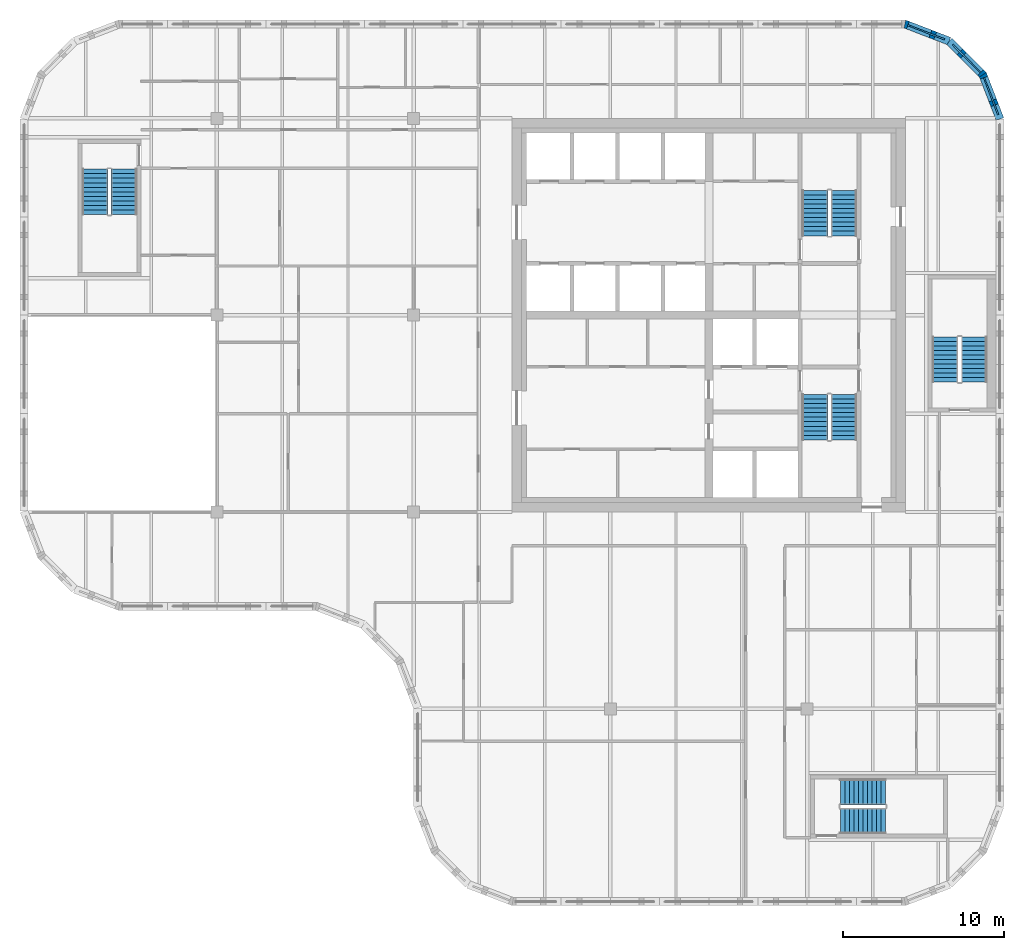
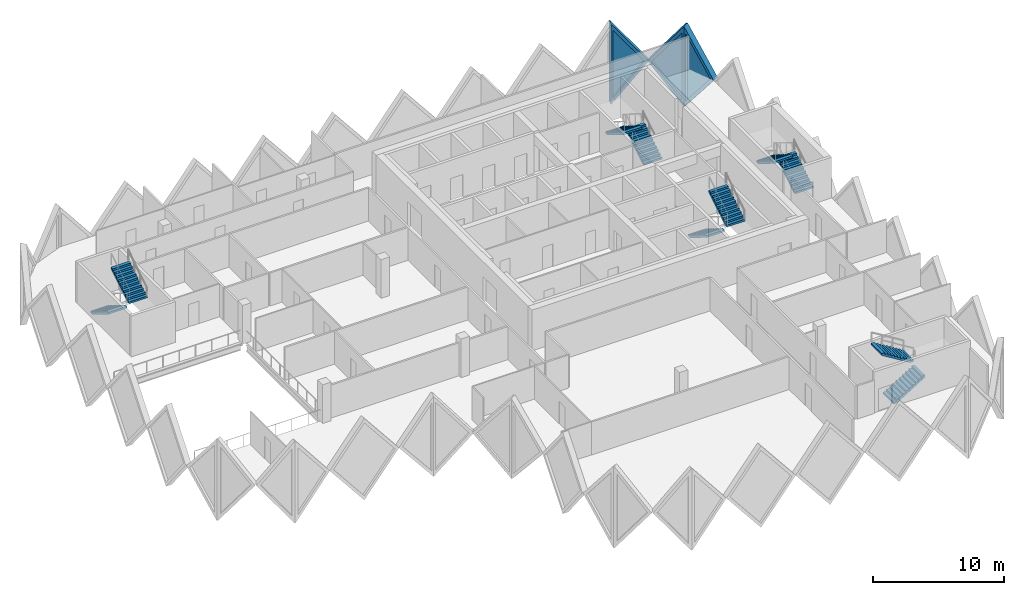
# One storey, part 10 of 11: 10 stair flights, 3 plates, 3 walls, 3 openings, 5 elements without a shape of their own.
"""IFC4 building model written with IfcOpenShell, lengths in metres."""

from ifc_helpers import new_model, si_unit, direction, frame, origin, place, context, subcontext, project, spatial, polyline, outline, extrude, faceted_brep, source, transform, mapped, material, layer, layer_set, type_object, element, fill, aggregate, save


model = new_model("IFC4")

# Units and contexts
model_context = context("Model", 3, precision=1e-05, world=origin(), true_north=direction((0.0, 1.0)))
body_context = subcontext(model_context, "Body", "Model", "MODEL_VIEW")
ifc_project = project(units=[si_unit("LENGTHUNIT", "METRE"), si_unit("AREAUNIT", "SQUARE_METRE"), si_unit("VOLUMEUNIT", "CUBIC_METRE"), si_unit("PLANEANGLEUNIT", "RADIAN"), si_unit("MASSUNIT", "GRAM", prefix="KILO")], contexts=[model_context])

# Site, building, storey
site_placement = place(None, origin())
site = spatial("IfcSite", under=ifc_project, at=site_placement, CompositionType="ELEMENT")
building_placement = place(site_placement, origin())
building = spatial("IfcBuilding", under=site, at=building_placement, Name="Tessera Gate Towers", CompositionType="ELEMENT")
storey_placement = place(building_placement, frame((0.0, 0.0, 170.60009765625)))
storey = spatial("IfcBuildingStorey", under=building, at=storey_placement, Name="L42", CompositionType="ELEMENT", Elevation=170.60009765625)

# Wall, opening, plate
ifc_material_1 = material(Name="Precast concrete C60/75 white", Category="concrete")
ifc_layer_1 = layer(ifc_material_1, 0.5)
ifc_layer_set_1 = layer_set([ifc_layer_1], Name="TS3 corner tessera")
wall_type = type_object("IfcWallType", Name="TS3 corner tessera", PredefinedType="SOLIDWALL", material=ifc_layer_set_1)
shared_shape_1 = source(origin(), body_context, "Body", "Brep", [
    faceted_brep([(2.950439453125, -0.25, 0.0), (2.9970703125, -0.25, 0.05908203125), (2.9970703125, -0.25, 7.540771484375), (2.950439453125, -0.25, 7.599853515625), (0.0, -0.25, 3.800048828125), (0.052978515625, 0.25, 3.8681640625), (2.904052734375, 0.25, 7.5400390625), (2.904052734375, 0.25, 0.059814453125), (0.052978515625, 0.25, 3.73193359375), (2.950439453125, 0.00048828125, 0.0), (2.950439453125, 0.00048828125, 7.599853515625), (0.0, 0.0, 3.800048828125)], [[[0, 1, 2, 3, 4]], [[5, 6, 7, 8]], [[1, 0, 9]], [[10, 3, 2]], [[6, 5, 11, 4, 3, 10]], [[8, 7, 9, 0, 4, 11]], [[8, 11, 5]], [[1, 9, 7, 6, 10, 2]]]),
])
wall_1_placement = place(storey_placement, frame((57.606201171875, 53.588134765625, -3.800048828125), z_axis=(0.0, 0.0, 1.0), x_axis=(-0.932990326376, 0.359901446078, 0.0)))
wall_1 = element("IfcWall", 1, at=wall_1_placement, inside=storey, type_object=wall_type, Name="Precast corner tessera T1 TS3-0969", PredefinedType="SOLIDWALL", context=body_context, shape_type="MappedRepresentation", body=[
    mapped(shared_shape_1, transform((0.0, 0.0, 0.0), scale=1.0)),
])
shared_shape_2 = source(origin(), body_context, "Body", "SweptSolid", [
    extrude(outline(polyline([(2.75048828125, 6.934814453125), (0.31640625, 3.800048828125), (2.75048828125, 0.665283203125), (2.75048828125, 6.934814453125)])), frame((0.0, 0.260009765625, 0.0), z_axis=(0.0, -1.0, 0.0), x_axis=(1.0, 0.0, 0.0)), (0.0, 0.0, 1.0), 0.52001953125),
])
opening_1_placement = place(wall_1_placement, origin())
opening_1 = element("IfcOpeningElement", 2, at=opening_1_placement, cuts=wall_1, Name="Opening T1-PL2-1475", PredefinedType="OPENING", context=body_context, shape_type="MappedRepresentation", body=[
    mapped(shared_shape_2, transform((0.0, 0.0, 0.0), scale=1.0)),
])
ifc_material_2 = material(Name="Low-e laminated glass", Category="glass")
ifc_layer_2 = layer(ifc_material_2, 0.06005859375)
ifc_layer_set_2 = layer_set([ifc_layer_2], Name="PL2 rhombic pane")
plate_type = type_object("IfcPlateType", Name="PL2 rhombic pane", PredefinedType="SHEET", material=ifc_layer_set_2)
shared_shape_3 = source(origin(), body_context, "Body", "SweptSolid", [
    extrude(outline(polyline([(2.75048828125, 6.934814453125), (0.31640625, 3.800048828125), (2.75048828125, 0.665283203125), (2.75048828125, 6.934814453125)])), frame((0.0, 0.030029296875, 0.0), z_axis=(0.0, -1.0, 0.0), x_axis=(1.0, 0.0, 0.0)), (0.0, 0.0, 1.0), 0.06005859375),
])
plate_1_placement = place(opening_1_placement, origin())
plate_1 = element("IfcPlate", 3, at=plate_1_placement, inside=storey, type_object=plate_type, Name="Glass pane T1 PL2-1475", PredefinedType="SHEET", context=body_context, shape_type="MappedRepresentation", body=[
    mapped(shared_shape_3, transform((0.0, 0.0, 0.0), scale=1.0)),
])
fill(opening_1, plate_1)

shared_shape_4 = source(origin(), body_context, "Body", "Brep", [
    faceted_brep([(2.950439453125, -0.25, 0.0), (3.00341796875, -0.25, 0.068359375), (3.00341796875, -0.25, 7.531494140625), (2.950439453125, -0.25, 7.599853515625), (0.0, -0.25, 3.800048828125), (0.046630859375, 0.25, 3.860107421875), (2.897705078125, 0.25, 7.53173828125), (2.897705078125, 0.25, 0.068115234375), (0.046630859375, 0.25, 3.739990234375), (2.950439453125, 0.00048828125, 0.0), (2.950439453125, 0.00048828125, 7.599853515625), (0.0, 0.0, 3.800048828125)], [[[0, 1, 2, 3, 4]], [[5, 6, 7, 8]], [[1, 0, 9]], [[10, 3, 2]], [[6, 5, 11, 4, 3, 10]], [[8, 7, 9, 0, 4, 11]], [[8, 11, 5]], [[1, 9, 7, 6, 10, 2]]]),
])
wall_2_placement = place(storey_placement, frame((60.75, 48.75341796875, -3.800048828125), z_axis=(0.0, 0.0, 1.0), x_axis=(-0.35992665181, 0.932980602862, 0.0)))
wall_2 = element("IfcWall", 4, at=wall_2_placement, inside=storey, type_object=wall_type, Name="Precast corner tessera T1 TS3-0967", PredefinedType="SOLIDWALL", context=body_context, shape_type="MappedRepresentation", body=[
    mapped(shared_shape_4, transform((0.0, 0.0, 0.0), scale=1.0)),
])
opening_2_placement = place(wall_2_placement, origin())
opening_2 = element("IfcOpeningElement", 5, at=opening_2_placement, cuts=wall_2, Name="Opening T1-PL2-1473", PredefinedType="OPENING", context=body_context, shape_type="MappedRepresentation", body=[
    mapped(shared_shape_2, transform((0.0, 0.0, 0.0), scale=1.0)),
])
plate_2_placement = place(opening_2_placement, origin())
plate_2 = element("IfcPlate", 6, at=plate_2_placement, inside=storey, type_object=plate_type, Name="Glass pane T1 PL2-1473", PredefinedType="SHEET", context=body_context, shape_type="MappedRepresentation", body=[
    mapped(shared_shape_3, transform((0.0, 0.0, 0.0), scale=1.0)),
])
fill(opening_2, plate_2)

shared_shape_5 = source(origin(), body_context, "Body", "Brep", [
    faceted_brep([(0.052978515625, -0.25, 0.0), (2.9970703125, -0.25, 3.800048828125), (0.052978515625, -0.25, 7.599853515625), (0.0, -0.25, 7.53173828125), (0.0, -0.25, 0.068115234375), (0.10595703125, 0.25, 7.531494140625), (2.944091796875, 0.25, 3.8681640625), (2.944091796875, 0.25, 3.73193359375), (0.10595703125, 0.25, 0.068359375), (2.9970703125, 0.000244140625, 3.800048828125), (0.052978515625, 0.0, 0.0), (0.052978515625, 0.0, 7.599853515625)], [[[0, 1, 2, 3, 4]], [[5, 6, 7, 8]], [[8, 7, 9, 1, 0, 10]], [[6, 5, 11, 2, 1, 9]], [[3, 2, 11]], [[10, 0, 4]], [[8, 10, 4, 3, 11, 5]], [[7, 6, 9]]]),
])
wall_3_placement = place(storey_placement, frame((59.7255859375, 51.46875, -3.800048828125), z_axis=(0.0, 0.0, 1.0), x_axis=(-0.707106781187, 0.707106781187, 0.0)))
wall_3 = element("IfcWall", 7, at=wall_3_placement, inside=storey, type_object=wall_type, Name="Precast corner tessera T1 TS3-0968", PredefinedType="SOLIDWALL", context=body_context, shape_type="MappedRepresentation", body=[
    mapped(shared_shape_5, transform((0.0, 0.0, 0.0), scale=1.0)),
])
shared_shape_6 = source(origin(), body_context, "Body", "SweptSolid", [
    extrude(outline(polyline([(0.2529296875, 0.666259765625), (2.680908203125, 3.800048828125), (0.2529296875, 6.93359375), (0.2529296875, 0.666259765625)])), frame((0.0, 0.260009765625, 0.0), z_axis=(0.0, -1.0, 0.0), x_axis=(1.0, 0.0, 0.0)), (0.0, 0.0, 1.0), 0.52001953125),
])
opening_3_placement = place(wall_3_placement, origin())
opening_3 = element("IfcOpeningElement", 8, at=opening_3_placement, cuts=wall_3, Name="Opening T1-PL2-1474", PredefinedType="OPENING", context=body_context, shape_type="MappedRepresentation", body=[
    mapped(shared_shape_6, transform((0.0, 0.0, 0.0), scale=1.0)),
])
shared_shape_7 = source(origin(), body_context, "Body", "SweptSolid", [
    extrude(outline(polyline([(0.2529296875, 0.666259765625), (2.680908203125, 3.800048828125), (0.2529296875, 6.93359375), (0.2529296875, 0.666259765625)])), frame((0.0, 0.030029296875, 0.0), z_axis=(0.0, -1.0, 0.0), x_axis=(1.0, 0.0, 0.0)), (0.0, 0.0, 1.0), 0.06005859375),
])
plate_3_placement = place(opening_3_placement, origin())
plate_3 = element("IfcPlate", 9, at=plate_3_placement, inside=storey, type_object=plate_type, Name="Glass pane T1 PL2-1474", PredefinedType="SHEET", context=body_context, shape_type="MappedRepresentation", body=[
    mapped(shared_shape_7, transform((0.0, 0.0, 0.0), scale=1.0)),
])
fill(opening_3, plate_3)

# Stair, stair flights
ifc_material_3 = material(Name="Concrete C40/50", Category="concrete")
stair_type_1 = type_object("IfcStairType", Name="EXIT STAIR ST1 1600", PredefinedType="HALF_TURN_STAIR", material=ifc_material_3)
stair_1_placement = place(storey_placement, origin())
stair_1 = element("IfcStair", 10, at=stair_1_placement, inside=storey, type_object=stair_type_1, Name="L42 Protected Exit Stair ST1", PredefinedType="HALF_TURN_STAIR")
ifc_material_4 = material(Name="Concrete C40/50", Category="concrete")
stair_flight_type_1 = type_object("IfcStairFlightType", Name="EXIT STAIR FLIGHT ST1 1600", PredefinedType="STRAIGHT", material=ifc_material_4)
stair_flight_1_placement = place(storey_placement, frame((49.27490234375, 31.675048828125, 0.0), z_axis=(0.0, 0.0, 1.0), x_axis=(0.0, -1.0, 0.0)))
stair_flight_1 = element("IfcStairFlight", 11, at=stair_flight_1_placement, type_object=stair_flight_type_1, Name="ST1 flight 1", NumberOfRisers=11, NumberOfTreads=10, PredefinedType="STRAIGHT", RiserHeight=0.172727273, TreadLength=0.28, context=body_context, shape_type="SweptSolid", body=[
    extrude(outline(polyline([(0.0, 0.0), (0.0, 0.172607421875), (0.280029296875, 0.172607421875), (0.280029296875, 0.345458984375), (0.56005859375, 0.345458984375), (0.56005859375, 0.51806640625), (0.840087890625, 0.51806640625), (0.840087890625, 0.69091796875), (1.1201171875, 0.69091796875), (1.1201171875, 0.863525390625), (1.39990234375, 0.863525390625), (1.39990234375, 1.036376953125), (1.679931640625, 1.036376953125), (1.679931640625, 1.208984375), (1.9599609375, 1.208984375), (1.9599609375, 1.3818359375), (2.239990234375, 1.3818359375), (2.239990234375, 1.554443359375), (2.52001953125, 1.554443359375), (2.52001953125, 1.727294921875), (2.800048828125, 1.727294921875), (2.800048828125, 1.89990234375), (2.800048828125, 1.551025390625), (0.285400390625, 0.0), (0.0, 0.0)])), frame((0.0, 0.800048828125, 0.0), z_axis=(0.0, -1.0, 0.0), x_axis=(1.0, 0.0, 0.0)), (0.0, 0.0, 1.0), 1.60009765625),
])
stair_flight_2_placement = place(storey_placement, frame((51.074951171875, 28.875, 1.89990234375), z_axis=(0.0, 0.0, 1.0), x_axis=(0.0, 1.0, 0.0)))
stair_flight_2 = element("IfcStairFlight", 12, at=stair_flight_2_placement, type_object=stair_flight_type_1, Name="ST1 flight 2", NumberOfRisers=11, NumberOfTreads=10, PredefinedType="STRAIGHT", RiserHeight=0.172727273, TreadLength=0.28, context=body_context, shape_type="SweptSolid", body=[
    extrude(outline(polyline([(0.0, 0.0), (0.0, 0.172607421875), (0.280029296875, 0.172607421875), (0.280029296875, 0.345458984375), (0.56005859375, 0.345458984375), (0.56005859375, 0.51806640625), (0.840087890625, 0.51806640625), (0.840087890625, 0.69091796875), (1.1201171875, 0.69091796875), (1.1201171875, 0.863525390625), (1.39990234375, 0.863525390625), (1.39990234375, 1.036376953125), (1.679931640625, 1.036376953125), (1.679931640625, 1.208984375), (1.9599609375, 1.208984375), (1.9599609375, 1.3818359375), (2.239990234375, 1.3818359375), (2.239990234375, 1.554443359375), (2.52001953125, 1.554443359375), (2.52001953125, 1.727294921875), (2.800048828125, 1.727294921875), (2.800048828125, 1.89990234375), (2.800048828125, 1.551025390625), (0.285400390625, 0.0), (0.0, 0.0)])), frame((0.0, 0.800048828125, 0.0), z_axis=(0.0, -1.0, 0.0), x_axis=(1.0, 0.0, 0.0)), (0.0, 0.0, 1.0), 1.60009765625),
])
aggregate(stair_1, [stair_flight_1, stair_flight_2])

ifc_material_5 = material(Name="Concrete C40/50", Category="concrete")
stair_type_2 = type_object("IfcStairType", Name="EXIT STAIR ST2 1600", PredefinedType="HALF_TURN_STAIR", material=ifc_material_5)
stair_2_placement = place(storey_placement, origin())
stair_2 = element("IfcStair", 13, at=stair_2_placement, inside=storey, type_object=stair_type_2, Name="L42 Protected Exit Stair ST2", PredefinedType="HALF_TURN_STAIR")
ifc_material_6 = material(Name="Concrete C40/50", Category="concrete")
stair_flight_type_2 = type_object("IfcStairFlightType", Name="EXIT STAIR FLIGHT ST2 1600", PredefinedType="STRAIGHT", material=ifc_material_6)
stair_flight_3_placement = place(storey_placement, frame((51.074951171875, 41.52490234375, 0.0), z_axis=(0.0, 0.0, 1.0), x_axis=(0.0, 1.0, 0.0)))
stair_flight_3 = element("IfcStairFlight", 14, at=stair_flight_3_placement, type_object=stair_flight_type_2, Name="ST2 flight 1", NumberOfRisers=11, NumberOfTreads=10, PredefinedType="STRAIGHT", RiserHeight=0.172727273, TreadLength=0.28, context=body_context, shape_type="SweptSolid", body=[
    extrude(outline(polyline([(0.0, 0.0), (0.0, 0.172607421875), (0.280029296875, 0.172607421875), (0.280029296875, 0.345458984375), (0.56005859375, 0.345458984375), (0.56005859375, 0.51806640625), (0.840087890625, 0.51806640625), (0.840087890625, 0.69091796875), (1.1201171875, 0.69091796875), (1.1201171875, 0.863525390625), (1.39990234375, 0.863525390625), (1.39990234375, 1.036376953125), (1.679931640625, 1.036376953125), (1.679931640625, 1.208984375), (1.9599609375, 1.208984375), (1.9599609375, 1.3818359375), (2.239990234375, 1.3818359375), (2.239990234375, 1.554443359375), (2.52001953125, 1.554443359375), (2.52001953125, 1.727294921875), (2.800048828125, 1.727294921875), (2.800048828125, 1.89990234375), (2.800048828125, 1.551025390625), (0.285400390625, 0.0), (0.0, 0.0)])), frame((0.0, 0.800048828125, 0.0), z_axis=(0.0, -1.0, 0.0), x_axis=(1.0, 0.0, 0.0)), (0.0, 0.0, 1.0), 1.60009765625),
])
stair_flight_4_placement = place(storey_placement, frame((49.27490234375, 44.324951171875, 1.89990234375), z_axis=(0.0, 0.0, 1.0), x_axis=(0.0, -1.0, 0.0)))
stair_flight_4 = element("IfcStairFlight", 15, at=stair_flight_4_placement, type_object=stair_flight_type_2, Name="ST2 flight 2", NumberOfRisers=11, NumberOfTreads=10, PredefinedType="STRAIGHT", RiserHeight=0.172727273, TreadLength=0.28, context=body_context, shape_type="SweptSolid", body=[
    extrude(outline(polyline([(0.0, 0.0), (0.0, 0.172607421875), (0.280029296875, 0.172607421875), (0.280029296875, 0.345458984375), (0.56005859375, 0.345458984375), (0.56005859375, 0.51806640625), (0.840087890625, 0.51806640625), (0.840087890625, 0.69091796875), (1.1201171875, 0.69091796875), (1.1201171875, 0.863525390625), (1.39990234375, 0.863525390625), (1.39990234375, 1.036376953125), (1.679931640625, 1.036376953125), (1.679931640625, 1.208984375), (1.9599609375, 1.208984375), (1.9599609375, 1.3818359375), (2.239990234375, 1.3818359375), (2.239990234375, 1.554443359375), (2.52001953125, 1.554443359375), (2.52001953125, 1.727294921875), (2.800048828125, 1.727294921875), (2.800048828125, 1.89990234375), (2.800048828125, 1.551025390625), (0.285400390625, 0.0), (0.0, 0.0)])), frame((0.0, 0.800048828125, 0.0), z_axis=(0.0, -1.0, 0.0), x_axis=(1.0, 0.0, 0.0)), (0.0, 0.0, 1.0), 1.60009765625),
])
aggregate(stair_2, [stair_flight_3, stair_flight_4])

ifc_material_7 = material(Name="Concrete C40/50", Category="concrete")
stair_type_3 = type_object("IfcStairType", Name="EXIT STAIR ST3 1600", PredefinedType="HALF_TURN_STAIR", material=ifc_material_7)
stair_3_placement = place(storey_placement, origin())
stair_3 = element("IfcStair", 16, at=stair_3_placement, inside=storey, type_object=stair_type_3, Name="L42 West Exit Stair ST3", PredefinedType="HALF_TURN_STAIR")
ifc_material_8 = material(Name="Concrete C40/50", Category="concrete")
stair_flight_type_3 = type_object("IfcStairFlightType", Name="EXIT STAIR FLIGHT ST3 1600", PredefinedType="STRAIGHT", material=ifc_material_8)
stair_flight_5_placement = place(storey_placement, frame((4.64990234375, 45.64990234375, 0.0), z_axis=(0.0, 0.0, 1.0), x_axis=(0.0, -1.0, 0.0)))
stair_flight_5 = element("IfcStairFlight", 17, at=stair_flight_5_placement, type_object=stair_flight_type_3, Name="ST3 flight 1", NumberOfRisers=11, NumberOfTreads=10, PredefinedType="STRAIGHT", RiserHeight=0.172727273, TreadLength=0.28, context=body_context, shape_type="SweptSolid", body=[
    extrude(outline(polyline([(0.0, 0.0), (0.0, 0.172607421875), (0.280029296875, 0.172607421875), (0.280029296875, 0.345458984375), (0.56005859375, 0.345458984375), (0.56005859375, 0.51806640625), (0.840087890625, 0.51806640625), (0.840087890625, 0.69091796875), (1.1201171875, 0.69091796875), (1.1201171875, 0.863525390625), (1.39990234375, 0.863525390625), (1.39990234375, 1.036376953125), (1.679931640625, 1.036376953125), (1.679931640625, 1.208984375), (1.9599609375, 1.208984375), (1.9599609375, 1.3818359375), (2.239990234375, 1.3818359375), (2.239990234375, 1.554443359375), (2.52001953125, 1.554443359375), (2.52001953125, 1.727294921875), (2.800048828125, 1.727294921875), (2.800048828125, 1.89990234375), (2.800048828125, 1.551025390625), (0.285400390625, 0.0), (0.0, 0.0)])), frame((0.0, 0.800048828125, 0.0), z_axis=(0.0, -1.0, 0.0), x_axis=(1.0, 0.0, 0.0)), (0.0, 0.0, 1.0), 1.60009765625),
])
stair_flight_6_placement = place(storey_placement, frame((6.449951171875, 42.85009765625, 1.89990234375), z_axis=(0.0, 0.0, 1.0), x_axis=(0.0, 1.0, 0.0)))
stair_flight_6 = element("IfcStairFlight", 18, at=stair_flight_6_placement, type_object=stair_flight_type_3, Name="ST3 flight 2", NumberOfRisers=11, NumberOfTreads=10, PredefinedType="STRAIGHT", RiserHeight=0.172727273, TreadLength=0.28, context=body_context, shape_type="SweptSolid", body=[
    extrude(outline(polyline([(0.0, 0.0), (0.0, 0.172607421875), (0.280029296875, 0.172607421875), (0.280029296875, 0.345458984375), (0.56005859375, 0.345458984375), (0.56005859375, 0.51806640625), (0.840087890625, 0.51806640625), (0.840087890625, 0.69091796875), (1.1201171875, 0.69091796875), (1.1201171875, 0.863525390625), (1.39990234375, 0.863525390625), (1.39990234375, 1.036376953125), (1.679931640625, 1.036376953125), (1.679931640625, 1.208984375), (1.9599609375, 1.208984375), (1.9599609375, 1.3818359375), (2.239990234375, 1.3818359375), (2.239990234375, 1.554443359375), (2.52001953125, 1.554443359375), (2.52001953125, 1.727294921875), (2.800048828125, 1.727294921875), (2.800048828125, 1.89990234375), (2.800048828125, 1.551025390625), (0.285400390625, 0.0), (0.0, 0.0)])), frame((0.0, 0.800048828125, 0.0), z_axis=(0.0, -1.0, 0.0), x_axis=(1.0, 0.0, 0.0)), (0.0, 0.0, 1.0), 1.60009765625),
])
aggregate(stair_3, [stair_flight_5, stair_flight_6])

ifc_material_9 = material(Name="Concrete C40/50", Category="concrete")
stair_type_4 = type_object("IfcStairType", Name="EXIT STAIR ST4 1600", PredefinedType="HALF_TURN_STAIR", material=ifc_material_9)
stair_4_placement = place(storey_placement, origin())
stair_4 = element("IfcStair", 19, at=stair_4_placement, inside=storey, type_object=stair_type_4, Name="L42 South Exit Stair ST4", PredefinedType="HALF_TURN_STAIR")
ifc_material_10 = material(Name="Concrete C40/50", Category="concrete")
stair_flight_type_4 = type_object("IfcStairFlightType", Name="EXIT STAIR FLIGHT ST4 1600", PredefinedType="STRAIGHT", material=ifc_material_10)
stair_flight_7_placement = place(storey_placement, frame((50.85009765625, 5.25, 0.0), z_axis=(0.0, 0.0, 1.0), x_axis=(1.0, 0.0, 0.0)))
stair_flight_7 = element("IfcStairFlight", 20, at=stair_flight_7_placement, type_object=stair_flight_type_4, Name="ST4 flight 1", NumberOfRisers=11, NumberOfTreads=10, PredefinedType="STRAIGHT", RiserHeight=0.172727273, TreadLength=0.28, context=body_context, shape_type="SweptSolid", body=[
    extrude(outline(polyline([(0.0, 0.0), (0.0, 0.172607421875), (0.280029296875, 0.172607421875), (0.280029296875, 0.345458984375), (0.56005859375, 0.345458984375), (0.56005859375, 0.51806640625), (0.840087890625, 0.51806640625), (0.840087890625, 0.69091796875), (1.1201171875, 0.69091796875), (1.1201171875, 0.863525390625), (1.39990234375, 0.863525390625), (1.39990234375, 1.036376953125), (1.679931640625, 1.036376953125), (1.679931640625, 1.208984375), (1.9599609375, 1.208984375), (1.9599609375, 1.3818359375), (2.239990234375, 1.3818359375), (2.239990234375, 1.554443359375), (2.52001953125, 1.554443359375), (2.52001953125, 1.727294921875), (2.800048828125, 1.727294921875), (2.800048828125, 1.89990234375), (2.800048828125, 1.551025390625), (0.285400390625, 0.0), (0.0, 0.0)])), frame((0.0, 0.800048828125, 0.0), z_axis=(0.0, -1.0, 0.0), x_axis=(1.0, 0.0, 0.0)), (0.0, 0.0, 1.0), 1.60009765625),
])
stair_flight_8_placement = place(storey_placement, frame((53.64990234375, 7.050048828125, 1.89990234375), z_axis=(0.0, 0.0, 1.0), x_axis=(-1.0, 0.0, 0.0)))
stair_flight_8 = element("IfcStairFlight", 21, at=stair_flight_8_placement, type_object=stair_flight_type_4, Name="ST4 flight 2", NumberOfRisers=11, NumberOfTreads=10, PredefinedType="STRAIGHT", RiserHeight=0.172727273, TreadLength=0.28, context=body_context, shape_type="SweptSolid", body=[
    extrude(outline(polyline([(0.0, 0.0), (0.0, 0.172607421875), (0.280029296875, 0.172607421875), (0.280029296875, 0.345458984375), (0.56005859375, 0.345458984375), (0.56005859375, 0.51806640625), (0.840087890625, 0.51806640625), (0.840087890625, 0.69091796875), (1.1201171875, 0.69091796875), (1.1201171875, 0.863525390625), (1.39990234375, 0.863525390625), (1.39990234375, 1.036376953125), (1.679931640625, 1.036376953125), (1.679931640625, 1.208984375), (1.9599609375, 1.208984375), (1.9599609375, 1.3818359375), (2.239990234375, 1.3818359375), (2.239990234375, 1.554443359375), (2.52001953125, 1.554443359375), (2.52001953125, 1.727294921875), (2.800048828125, 1.727294921875), (2.800048828125, 1.89990234375), (2.800048828125, 1.551025390625), (0.285400390625, 0.0), (0.0, 0.0)])), frame((0.0, 0.800048828125, 0.0), z_axis=(0.0, -1.0, 0.0), x_axis=(1.0, 0.0, 0.0)), (0.0, 0.0, 1.0), 1.60009765625),
])
aggregate(stair_4, [stair_flight_7, stair_flight_8])

ifc_material_11 = material(Name="Concrete C40/50", Category="concrete")
stair_type_5 = type_object("IfcStairType", Name="EXIT STAIR ST5 1600", PredefinedType="HALF_TURN_STAIR", material=ifc_material_11)
stair_5_placement = place(storey_placement, origin())
stair_5 = element("IfcStair", 22, at=stair_5_placement, inside=storey, type_object=stair_type_5, Name="L42 East Exit Stair ST5", PredefinedType="HALF_TURN_STAIR")
ifc_material_12 = material(Name="Concrete C40/50", Category="concrete")
stair_flight_type_5 = type_object("IfcStairFlightType", Name="EXIT STAIR FLIGHT ST5 1600", PredefinedType="STRAIGHT", material=ifc_material_12)
stair_flight_9_placement = place(storey_placement, frame((59.14990234375, 32.449951171875, 0.0), z_axis=(0.0, 0.0, 1.0), x_axis=(0.0, 1.0, 0.0)))
stair_flight_9 = element("IfcStairFlight", 23, at=stair_flight_9_placement, type_object=stair_flight_type_5, Name="ST5 flight 1", NumberOfRisers=11, NumberOfTreads=10, PredefinedType="STRAIGHT", RiserHeight=0.172727273, TreadLength=0.28, context=body_context, shape_type="SweptSolid", body=[
    extrude(outline(polyline([(0.0, 0.0), (0.0, 0.172607421875), (0.280029296875, 0.172607421875), (0.280029296875, 0.345458984375), (0.56005859375, 0.345458984375), (0.56005859375, 0.51806640625), (0.840087890625, 0.51806640625), (0.840087890625, 0.69091796875), (1.1201171875, 0.69091796875), (1.1201171875, 0.863525390625), (1.39990234375, 0.863525390625), (1.39990234375, 1.036376953125), (1.679931640625, 1.036376953125), (1.679931640625, 1.208984375), (1.9599609375, 1.208984375), (1.9599609375, 1.3818359375), (2.239990234375, 1.3818359375), (2.239990234375, 1.554443359375), (2.52001953125, 1.554443359375), (2.52001953125, 1.727294921875), (2.800048828125, 1.727294921875), (2.800048828125, 1.89990234375), (2.800048828125, 1.551025390625), (0.285400390625, 0.0), (0.0, 0.0)])), frame((0.0, 0.800048828125, 0.0), z_axis=(0.0, -1.0, 0.0), x_axis=(1.0, 0.0, 0.0)), (0.0, 0.0, 1.0), 1.60009765625),
])
stair_flight_10_placement = place(storey_placement, frame((57.35009765625, 35.25, 1.89990234375), z_axis=(0.0, 0.0, 1.0), x_axis=(0.0, -1.0, 0.0)))
stair_flight_10 = element("IfcStairFlight", 24, at=stair_flight_10_placement, type_object=stair_flight_type_5, Name="ST5 flight 2", NumberOfRisers=11, NumberOfTreads=10, PredefinedType="STRAIGHT", RiserHeight=0.172727273, TreadLength=0.28, context=body_context, shape_type="SweptSolid", body=[
    extrude(outline(polyline([(0.0, 0.0), (0.0, 0.172607421875), (0.280029296875, 0.172607421875), (0.280029296875, 0.345458984375), (0.56005859375, 0.345458984375), (0.56005859375, 0.51806640625), (0.840087890625, 0.51806640625), (0.840087890625, 0.69091796875), (1.1201171875, 0.69091796875), (1.1201171875, 0.863525390625), (1.39990234375, 0.863525390625), (1.39990234375, 1.036376953125), (1.679931640625, 1.036376953125), (1.679931640625, 1.208984375), (1.9599609375, 1.208984375), (1.9599609375, 1.3818359375), (2.239990234375, 1.3818359375), (2.239990234375, 1.554443359375), (2.52001953125, 1.554443359375), (2.52001953125, 1.727294921875), (2.800048828125, 1.727294921875), (2.800048828125, 1.89990234375), (2.800048828125, 1.551025390625), (0.285400390625, 0.0), (0.0, 0.0)])), frame((0.0, 0.800048828125, 0.0), z_axis=(0.0, -1.0, 0.0), x_axis=(1.0, 0.0, 0.0)), (0.0, 0.0, 1.0), 1.60009765625),
])
aggregate(stair_5, [stair_flight_9, stair_flight_10])

save(model, "model.ifc")
